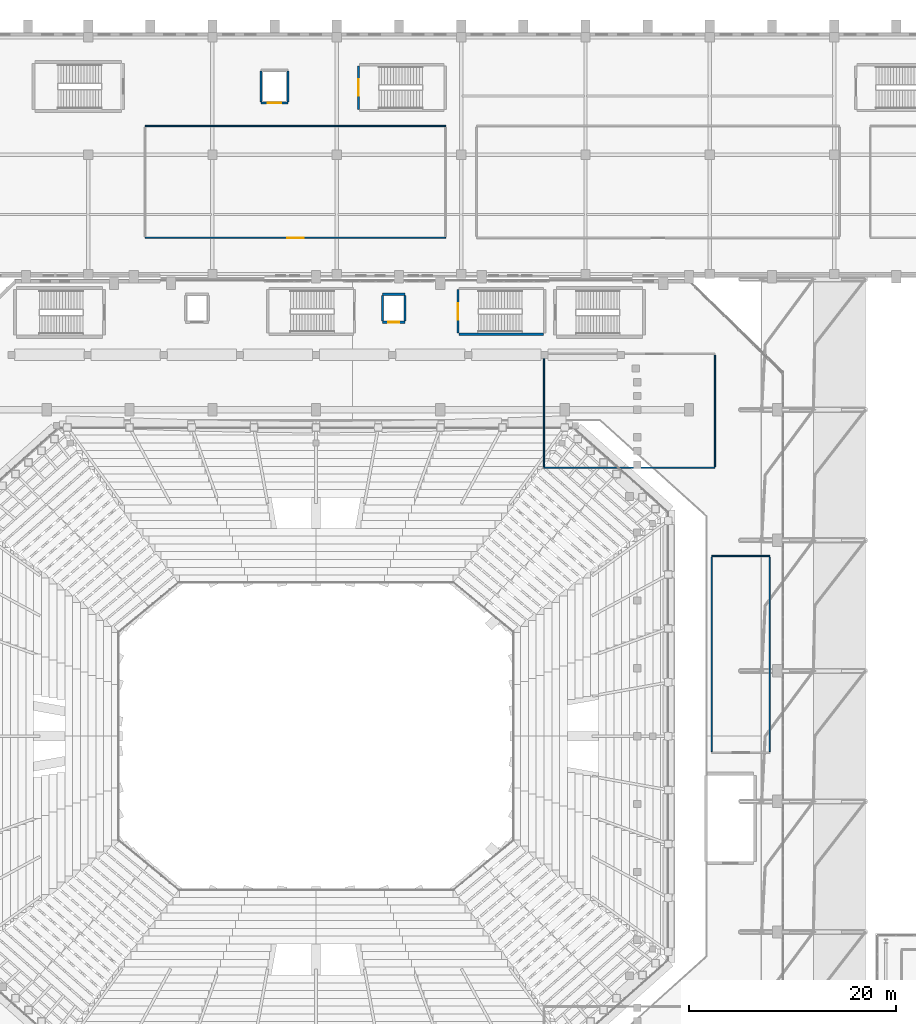
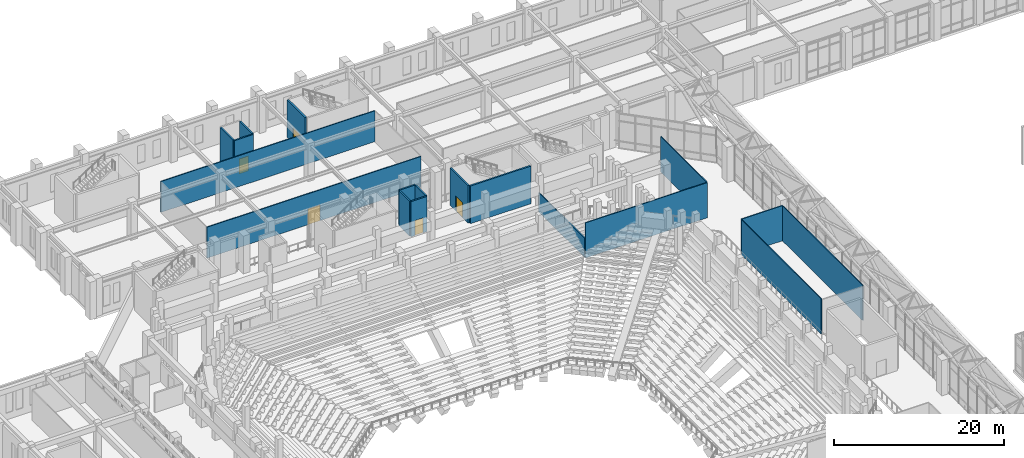
# One storey, part 131 of 159: 18 walls, 5 doors, 5 openings.
"""IFC4 building model written with IfcOpenShell, lengths in metres."""

from ifc_helpers import new_model, si_unit, derived_unit, direction, frame, frame_2d, origin, place, context, subcontext, project, spatial, rectangle, extrude, material, layer, layer_set, type_object, element, fill, save


model = new_model("IFC4")

# Units and contexts
model_context = context("Model", 3, precision=1e-05, world=origin(), true_north=direction((0.0, 1.0)))
body_context = subcontext(model_context, "Body", "Model", "MODEL_VIEW")
ifc_project = project(units=[si_unit("LENGTHUNIT", "METRE"), si_unit("AREAUNIT", "SQUARE_METRE"), si_unit("VOLUMEUNIT", "CUBIC_METRE"), si_unit("PLANEANGLEUNIT", "RADIAN"), si_unit("MASSUNIT", "GRAM", prefix="KILO"), derived_unit("THERMALTRANSMITTANCEUNIT", [(si_unit("MASSUNIT", "GRAM", prefix="KILO"), 1), (si_unit("TIMEUNIT", "SECOND"), -3), (si_unit("THERMODYNAMICTEMPERATUREUNIT", "KELVIN"), -1)])], contexts=[model_context])

# Site, building, storey
site_placement = place(None, origin())
site = spatial("IfcSite", under=ifc_project, at=site_placement, CompositionType="ELEMENT")
building_placement = place(site_placement, origin())
building = spatial("IfcBuilding", under=site, at=building_placement, Name="Valcora Ridge Arena", CompositionType="ELEMENT")
storey_placement = place(building_placement, frame((0.0, 0.0, 6.0)))
storey = spatial("IfcBuildingStorey", under=building, at=storey_placement, Name="L01", CompositionType="ELEMENT", Elevation=6.0)

# Walls
ifc_material_1 = material(Name="Acoustic metal-stud gypsum partition 120 mm")
ifc_layer_1 = layer(ifc_material_1, 0.1201171875, Name="Acoustic metal-stud gypsum partition 120 mm")
ifc_layer_set_1 = layer_set([ifc_layer_1], Name="Acoustic metal-stud gypsum partition 120 mm")
wall_type_1 = type_object("IfcWallType", Name="TY-WALL-IW-PART-120", PredefinedType="PARTITIONING", material=ifc_layer_set_1)
wall_1_placement = place(storey_placement, frame((80.0, 90.0, 0.0), z_axis=(0.0, 0.0, 1.0), x_axis=(1.0, 0.0, 0.0)))
element("IfcWall", 1, at=wall_1_placement, inside=storey, type_object=wall_type_1, Name="IW-PART-120 WAL-IN-0293", PredefinedType="PARTITIONING", context=body_context, shape_type="SweptSolid", body=[
    extrude(rectangle(XDim=16.5, YDim=0.1201171875, at=frame_2d((8.25, 0.0))), origin(), (0.0, 0.0, 1.0), 5.0400390625),
])
wall_2_placement = place(storey_placement, frame((80.0, 90.1201171875, 0.0), z_axis=(0.0, 0.0, 1.0), x_axis=(0.0, 1.0, 0.0)))
element("IfcWall", 2, at=wall_2_placement, inside=storey, type_object=wall_type_1, Name="IW-PART-120 WAL-IN-0295", PredefinedType="PARTITIONING", context=body_context, shape_type="SweptSolid", body=[
    extrude(rectangle(XDim=10.759765625, YDim=0.1201171875, at=frame_2d((5.3798828125, 0.0))), origin(), (0.0, 0.0, 1.0), 2.77490234375),
])
wall_3_placement = place(storey_placement, frame((96.5, 90.1201171875, 0.0), z_axis=(0.0, 0.0, 1.0), x_axis=(0.0, 1.0, 0.0)))
element("IfcWall", 3, at=wall_3_placement, inside=storey, type_object=wall_type_1, Name="IW-PART-120 WAL-IN-0296", PredefinedType="PARTITIONING", context=body_context, shape_type="SweptSolid", body=[
    extrude(rectangle(XDim=10.759765625, YDim=0.1201171875, at=frame_2d((5.3798828125, 0.0))), origin(), (0.0, 0.0, 1.0), 5.0400390625),
])
wall_4_placement = place(storey_placement, frame((96.199951171875, 81.5, 0.0), z_axis=(0.0, 0.0, 1.0), x_axis=(1.0, 0.0, 0.0)))
element("IfcWall", 4, at=wall_4_placement, inside=storey, type_object=wall_type_1, Name="IW-PART-120 WAL-IN-0298", PredefinedType="PARTITIONING", context=body_context, shape_type="SweptSolid", body=[
    extrude(rectangle(XDim=5.60009765625, YDim=0.1201171875, at=frame_2d((2.800048828125, 0.0))), origin(), (0.0, 0.0, 1.0), 5.0400390625),
])
for number, where, z_axis, x_axis, name in (
    (5, (96.199951171875, 62.6201171875, 0.0), (0.0, 0.0, 1.0), (0.0, 1.0, 0.0), "IW-PART-120 WAL-IN-0299"),
    (6, (101.800048828125, 62.6201171875, 0.0), (0.0, 0.0, 1.0), (0.0, 1.0, 0.0), "IW-PART-120 WAL-IN-0300"),
):
    element("IfcWall", number, at=place(storey_placement, frame(where, z_axis=z_axis, x_axis=x_axis)), inside=storey, type_object=wall_type_1, Name=name, PredefinedType="PARTITIONING", context=body_context, shape_type="SweptSolid", body=[
        extrude(rectangle(XDim=18.759765625, YDim=0.1201171875, at=frame_2d((9.3798828125, 0.0))), origin(), (0.0, 0.0, 1.0), 5.0400390625),
    ])

# Wall, opening, door
wall_5_placement = place(storey_placement, frame((41.5, 112.199951171875, 0.0), z_axis=(0.0, 0.0, 1.0), x_axis=(1.0, 0.0, 0.0)))
wall_5 = element("IfcWall", 7, at=wall_5_placement, inside=storey, type_object=wall_type_1, Name="IW-PART-120 WAL-IN-0333", PredefinedType="PARTITIONING", context=body_context, shape_type="SweptSolid", body=[
    extrude(rectangle(XDim=29.0, YDim=0.1201171875, at=frame_2d((14.5, 0.0))), origin(), (0.0, 0.0, 1.0), 4.427978515625),
])
opening_1_placement = place(wall_5_placement, frame((13.699951171875, 0.0, 0.0)))
opening_1 = element("IfcOpeningElement", 8, at=opening_1_placement, cuts=wall_5, Name="Opening D-PUB-1600", PredefinedType="OPENING", context=body_context, shape_type="SweptSolid", body=[
    extrude(rectangle(XDim=1.60009765625, YDim=2.25, at=frame_2d((0.800048828125, 1.125))), frame((0.0, 0.070068359375, 0.0), z_axis=(0.0, -1.0, 0.0), x_axis=(1.0, 0.0, 0.0)), (0.0, 0.0, 1.0), 0.14013671875),
])
ifc_material_2 = material(Name="Solid-core acoustic timber veneer door leaf", Category="wood")
door_type_1 = type_object("IfcDoorType", Name="TY-DOOR-D-PUB-1600", OperationType="NOTDEFINED", PredefinedType="DOOR", material=ifc_material_2)
door_1_placement = place(opening_1_placement, origin())
door_1 = element("IfcDoor", 9, at=door_1_placement, inside=storey, type_object=door_type_1, Name="D-PUB-1600 DOR-IN-0088", OperationType="DOUBLE_DOOR_SINGLE_SWING", OverallHeight=2.25, OverallWidth=1.60009765625, PredefinedType="DOOR", context=body_context, shape_type="SweptSolid", body=[
    extrude(rectangle(XDim=1.60009765625, YDim=2.25, at=frame_2d((0.800048828125, 1.125))), frame((0.0, 0.02490234375, 0.0), z_axis=(0.0, -1.0, 0.0), x_axis=(1.0, 0.0, 0.0)), (0.0, 0.0, 1.0), 0.050048828125),
])
fill(opening_1, door_1)

# Wall
wall_6_placement = place(storey_placement, frame((41.5, 123.0, 0.0), z_axis=(0.0, 0.0, 1.0), x_axis=(1.0, 0.0, 0.0)))
element("IfcWall", 10, at=wall_6_placement, inside=storey, type_object=wall_type_1, Name="IW-PART-120 WAL-IN-0334", PredefinedType="PARTITIONING", context=body_context, shape_type="SweptSolid", body=[
    extrude(rectangle(XDim=29.0, YDim=0.1201171875, at=frame_2d((14.5, 0.0))), origin(), (0.0, 0.0, 1.0), 4.427978515625),
])

# Wall, opening, door
ifc_material_3 = material(Name="Concrete C40/50", Category="concrete")
ifc_layer_2 = layer(ifc_material_3, 0.199951171875, Name="Concrete C40/50")
ifc_layer_set_2 = layer_set([ifc_layer_2], Name="Concrete C40/50")
wall_type_2 = type_object("IfcWallType", Name="TY-WALL-IW-SHF-200", PredefinedType="STANDARD", material=ifc_layer_set_2)
wall_7_placement = place(storey_placement, frame((64.39990234375, 104.050048828125, 0.0), z_axis=(0.0, 0.0, 1.0), x_axis=(1.0, 0.0, 0.0)))
wall_7 = element("IfcWall", 11, at=wall_7_placement, inside=storey, type_object=wall_type_2, Name="IW-SHF-200 WAL-SH-0137", PredefinedType="STANDARD", context=body_context, shape_type="SweptSolid", body=[
    extrude(rectangle(XDim=2.2001953125, YDim=0.199951171875, at=frame_2d((1.10009765625, 0.0))), origin(), (0.0, 0.0, 1.0), 5.0400390625),
])
opening_2_placement = place(wall_7_placement, frame((0.550048828125, 0.0, 0.0)))
opening_2 = element("IfcOpeningElement", 12, at=opening_2_placement, cuts=wall_7, Name="Opening LD-PAX", PredefinedType="OPENING", context=body_context, shape_type="SweptSolid", body=[
    extrude(rectangle(XDim=1.10009765625, YDim=2.14990234375, at=frame_2d((0.550048828125, 1.074951171875))), frame((0.0, 0.10986328125, 0.0), z_axis=(0.0, -1.0, 0.0), x_axis=(1.0, 0.0, 0.0)), (0.0, 0.0, 1.0), 0.219970703125),
])
ifc_material_4 = material(Name="Insulated fire-rated hollow metal steel", Category="steel")
door_type_2 = type_object("IfcDoorType", Name="TY-DOOR-LD-PAX", OperationType="NOTDEFINED", PredefinedType="DOOR", material=ifc_material_4)
door_2_placement = place(opening_2_placement, origin())
door_2 = element("IfcDoor", 13, at=door_2_placement, inside=storey, type_object=door_type_2, Name="PL4 Landing Door L01", OperationType="SLIDING_TO_LEFT", OverallHeight=2.14990234375, OverallWidth=1.10009765625, PredefinedType="DOOR", context=body_context, shape_type="SweptSolid", body=[
    extrude(rectangle(XDim=1.10009765625, YDim=2.14990234375, at=frame_2d((0.550048828125, 1.074951171875))), frame((0.0, 0.02490234375, 0.0), z_axis=(0.0, -1.0, 0.0), x_axis=(1.0, 0.0, 0.0)), (0.0, 0.0, 1.0), 0.050048828125),
])
fill(opening_2, door_2)

# Walls
wall_8_placement = place(storey_placement, frame((64.39990234375, 106.75, 0.0), z_axis=(0.0, 0.0, 1.0), x_axis=(1.0, 0.0, 0.0)))
element("IfcWall", 14, at=wall_8_placement, inside=storey, type_object=wall_type_2, Name="IW-SHF-200 WAL-SH-0138", PredefinedType="STANDARD", context=body_context, shape_type="SweptSolid", body=[
    extrude(rectangle(XDim=2.2001953125, YDim=0.199951171875, at=frame_2d((1.10009765625, 0.0))), origin(), (0.0, 0.0, 1.0), 5.0400390625),
])
for number, where, z_axis, x_axis, name in (
    (15, (64.39990234375, 104.169921875, 0.0), (0.0, 0.0, 1.0), (0.0, 1.0, 0.0), "IW-SHF-200 WAL-SH-0139"),
    (16, (66.60009765625, 104.169921875, 0.0), (0.0, 0.0, 1.0), (0.0, 1.0, 0.0), "IW-SHF-200 WAL-SH-0140"),
):
    element("IfcWall", number, at=place(storey_placement, frame(where, z_axis=z_axis, x_axis=x_axis)), inside=storey, type_object=wall_type_2, Name=name, PredefinedType="STANDARD", context=body_context, shape_type="SweptSolid", body=[
        extrude(rectangle(XDim=2.4599609375, YDim=0.199951171875, at=frame_2d((1.22998046875, 0.0))), origin(), (0.0, 0.0, 1.0), 5.0400390625),
    ])

# Wall, opening, door
wall_9_placement = place(storey_placement, frame((52.699951171875, 125.199951171875, 0.0), z_axis=(0.0, 0.0, 1.0), x_axis=(1.0, 0.0, 0.0)))
wall_9 = element("IfcWall", 17, at=wall_9_placement, inside=storey, type_object=wall_type_2, Name="IW-SHF-200 WAL-SH-0253", PredefinedType="STANDARD", context=body_context, shape_type="SweptSolid", body=[
    extrude(rectangle(XDim=2.60009765625, YDim=0.199951171875, at=frame_2d((1.300048828125, 0.0))), origin(), (0.0, 0.0, 1.0), 5.0400390625),
])
opening_3_placement = place(wall_9_placement, frame((0.64990234375, 0.0, 0.0)))
opening_3 = element("IfcOpeningElement", 18, at=opening_3_placement, cuts=wall_9, Name="Opening LD-GDS", PredefinedType="OPENING", context=body_context, shape_type="SweptSolid", body=[
    extrude(rectangle(XDim=1.300048828125, YDim=2.14990234375, at=frame_2d((0.64990234375, 1.074951171875))), frame((0.0, 0.10986328125, 0.0), z_axis=(0.0, -1.0, 0.0), x_axis=(1.0, 0.0, 0.0)), (0.0, 0.0, 1.0), 0.219970703125),
])
door_type_3 = type_object("IfcDoorType", Name="TY-DOOR-LD-GDS", OperationType="NOTDEFINED", PredefinedType="DOOR", material=ifc_material_4)
door_3_placement = place(opening_3_placement, origin())
door_3 = element("IfcDoor", 19, at=door_3_placement, inside=storey, type_object=door_type_3, Name="GL1 Landing Door L01", OperationType="SLIDING_TO_LEFT", OverallHeight=2.14990234375, OverallWidth=1.300048828125, PredefinedType="DOOR", context=body_context, shape_type="SweptSolid", body=[
    extrude(rectangle(XDim=1.300048828125, YDim=2.14990234375, at=frame_2d((0.64990234375, 1.074951171875))), frame((0.0, 0.02490234375, 0.0), z_axis=(0.0, -1.0, 0.0), x_axis=(1.0, 0.0, 0.0)), (0.0, 0.0, 1.0), 0.050048828125),
])
fill(opening_3, door_3)

# Walls
for number, where, z_axis, x_axis, name in (
    (20, (52.699951171875, 125.320068359375, 0.0), (0.0, 0.0, 1.0), (0.0, 1.0, 0.0), "IW-SHF-200 WAL-SH-0255"),
    (21, (55.300048828125, 125.320068359375, 0.0), (0.0, 0.0, 1.0), (0.0, 1.0, 0.0), "IW-SHF-200 WAL-SH-0256"),
):
    element("IfcWall", number, at=place(storey_placement, frame(where, z_axis=z_axis, x_axis=x_axis)), inside=storey, type_object=wall_type_2, Name=name, PredefinedType="STANDARD", context=body_context, shape_type="SweptSolid", body=[
        extrude(rectangle(XDim=2.9599609375, YDim=0.199951171875, at=frame_2d((1.47998046875, 0.0))), origin(), (0.0, 0.0, 1.0), 5.0400390625),
    ])
ifc_material_5 = material(Name="Fire-resisting reinforced concrete enclosure C40/50 200 mm", Category="concrete")
ifc_layer_3 = layer(ifc_material_5, 0.219970703125, Name="Fire-resisting reinforced concrete enclosure C40/50 200 mm")
ifc_layer_set_3 = layer_set([ifc_layer_3], Name="Fire-resisting reinforced concrete enclosure C40/50 200 mm")
wall_type_3 = type_object("IfcWallType", Name="TY-WALL-SW-ES-220", PredefinedType="SHEAR", material=ifc_layer_set_3)
wall_10_placement = place(storey_placement, frame((71.800048828125, 102.889892578125, 0.0), z_axis=(0.0, 0.0, 1.0), x_axis=(1.0, 0.0, 0.0)))
element("IfcWall", 22, at=wall_10_placement, inside=storey, type_object=wall_type_3, Name="SW-ES-220 WAL-ES-0081", PredefinedType="SHEAR", context=body_context, shape_type="SweptSolid", body=[
    extrude(rectangle(XDim=8.159912109375, YDim=0.219970703125, at=frame_2d((4.080078125, 0.0))), origin(), (0.0, 0.0, 1.0), 5.39990234375),
])

# Wall, opening, door
wall_11_placement = place(storey_placement, frame((71.68994140625, 103.0, 0.0), z_axis=(0.0, 0.0, 1.0), x_axis=(0.0, 1.0, 0.0)))
wall_11 = element("IfcWall", 23, at=wall_11_placement, inside=storey, type_object=wall_type_3, Name="SW-ES-220 WAL-ES-0083", PredefinedType="SHEAR", context=body_context, shape_type="SweptSolid", body=[
    extrude(rectangle(XDim=4.199951171875, YDim=0.219970703125, at=frame_2d((2.10009765625, 0.0))), origin(), (0.0, 0.0, 1.0), 5.39990234375),
])
opening_4_placement = place(wall_11_placement, frame((1.300048828125, 0.0, 0.0)))
opening_4 = element("IfcOpeningElement", 24, at=opening_4_placement, cuts=wall_11, Name="Opening FD-02", PredefinedType="OPENING", context=body_context, shape_type="SweptSolid", body=[
    extrude(rectangle(XDim=1.60009765625, YDim=2.199951171875, at=frame_2d((0.800048828125, 1.10009765625))), frame((0.0, 0.119873046875, 0.0), z_axis=(0.0, -1.0, 0.0), x_axis=(1.0, 0.0, 0.0)), (0.0, 0.0, 1.0), 0.239990234375),
])
ifc_material_6 = material(Name="Insulated fire-rated steel door leaf", Category="steel")
door_type_4 = type_object("IfcDoorType", Name="TY-DOOR-FD-02", OperationType="NOTDEFINED", PredefinedType="DOOR", material=ifc_material_6)
door_4_placement = place(opening_4_placement, origin())
door_4 = element("IfcDoor", 25, at=door_4_placement, inside=storey, type_object=door_type_4, Name="FD-02 DOR-ES-0017", OperationType="DOUBLE_DOOR_SINGLE_SWING", OverallHeight=2.199951171875, OverallWidth=1.60009765625, PredefinedType="DOOR", context=body_context, shape_type="SweptSolid", body=[
    extrude(rectangle(XDim=1.60009765625, YDim=2.199951171875, at=frame_2d((0.800048828125, 1.10009765625))), frame((0.0, 0.02490234375, 0.0), z_axis=(0.0, -1.0, 0.0), x_axis=(1.0, 0.0, 0.0)), (0.0, 0.0, 1.0), 0.050048828125),
])
fill(opening_4, door_4)

wall_12_placement = place(storey_placement, frame((62.090087890625, 124.60009765625, 0.0), z_axis=(0.0, 0.0, 1.0), x_axis=(0.0, 1.0, 0.0)))
wall_12 = element("IfcWall", 26, at=wall_12_placement, inside=storey, type_object=wall_type_3, Name="SW-ES-220 WAL-ES-0175", PredefinedType="SHEAR", context=body_context, shape_type="SweptSolid", body=[
    extrude(rectangle(XDim=4.199951171875, YDim=0.219970703125, at=frame_2d((2.10009765625, 0.0))), origin(), (0.0, 0.0, 1.0), 5.39990234375),
])
opening_5_placement = place(wall_12_placement, frame((1.300048828125, 0.0, 0.0)))
opening_5 = element("IfcOpeningElement", 27, at=opening_5_placement, cuts=wall_12, Name="Opening FD-02", PredefinedType="OPENING", context=body_context, shape_type="SweptSolid", body=[
    extrude(rectangle(XDim=1.60009765625, YDim=2.199951171875, at=frame_2d((0.800048828125, 1.10009765625))), frame((0.0, 0.119873046875, 0.0), z_axis=(0.0, -1.0, 0.0), x_axis=(1.0, 0.0, 0.0)), (0.0, 0.0, 1.0), 0.239990234375),
])
door_5_placement = place(opening_5_placement, origin())
door_5 = element("IfcDoor", 28, at=door_5_placement, inside=storey, type_object=door_type_4, Name="FD-02 DOR-ES-0039", OperationType="DOUBLE_DOOR_SINGLE_SWING", OverallHeight=2.199951171875, OverallWidth=1.60009765625, PredefinedType="DOOR", context=body_context, shape_type="SweptSolid", body=[
    extrude(rectangle(XDim=1.60009765625, YDim=2.199951171875, at=frame_2d((0.800048828125, 1.10009765625))), frame((0.0, 0.02490234375, 0.0), z_axis=(0.0, -1.0, 0.0), x_axis=(1.0, 0.0, 0.0)), (0.0, 0.0, 1.0), 0.050048828125),
])
fill(opening_5, door_5)

save(model, "model.ifc")
